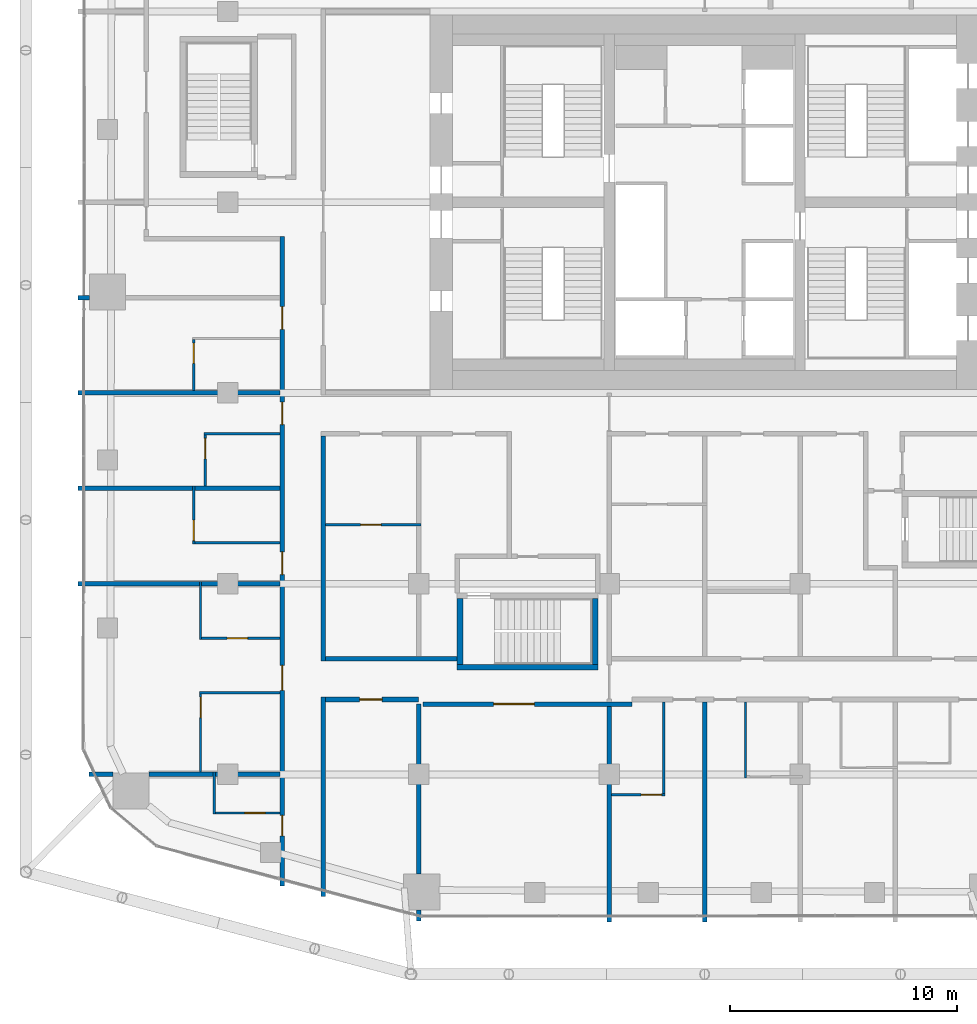
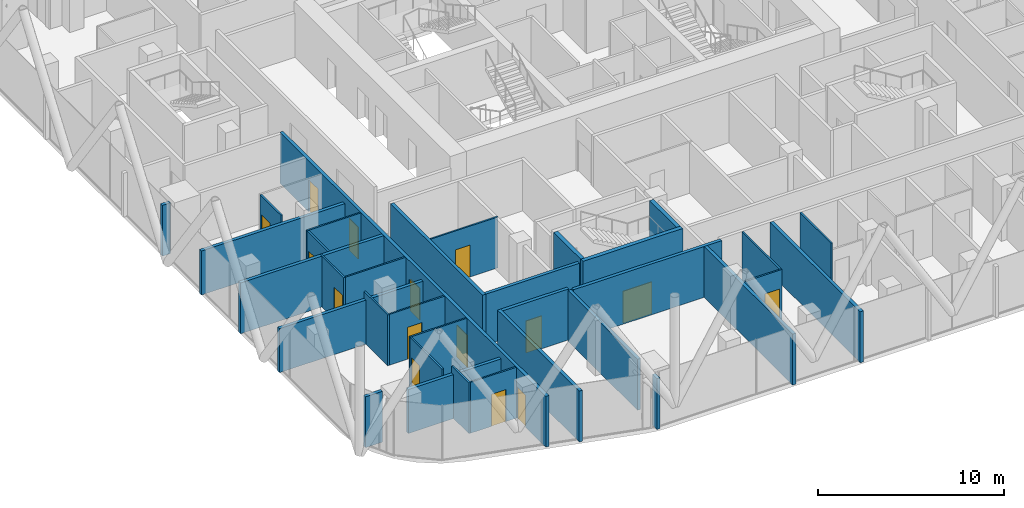
# One storey, part 24 of 33: 34 walls, 15 doors, 15 openings.
"""IFC4 building model written with IfcOpenShell, lengths in metres."""

from ifc_helpers import new_model, si_unit, direction, frame, frame_2d, origin, place, context, subcontext, project, spatial, rectangle, extrude, material, layer, layer_set, type_object, element, fill, save


model = new_model("IFC4")

# Units and contexts
model_context = context("Model", 3, precision=1e-05, world=origin(), true_north=direction((0.0, 1.0)))
body_context = subcontext(model_context, "Body", "Model", "MODEL_VIEW")
ifc_project = project(units=[si_unit("LENGTHUNIT", "METRE"), si_unit("AREAUNIT", "SQUARE_METRE"), si_unit("VOLUMEUNIT", "CUBIC_METRE"), si_unit("PLANEANGLEUNIT", "RADIAN"), si_unit("MASSUNIT", "GRAM", prefix="KILO")], contexts=[model_context])

# Site, building, storey
site_placement = place(None, origin())
site = spatial("IfcSite", under=ifc_project, at=site_placement, CompositionType="ELEMENT")
building_placement = place(site_placement, origin())
building = spatial("IfcBuilding", under=site, at=building_placement, Name="Marenta Gate Hotel Tower", CompositionType="ELEMENT")
storey_placement = place(building_placement, frame((0.0, 0.0, 137.300048828125)))
storey = spatial("IfcBuildingStorey", under=building, at=storey_placement, Name="L31", CompositionType="ELEMENT", Elevation=137.300048828125)

# Walls
ifc_material_1 = material(Name="Concrete blockwork", Category="masonry")
ifc_layer_1 = layer(ifc_material_1, 0.199951171875)
ifc_layer_set_1 = layer_set([ifc_layer_1], Name="Concrete blockwork")
wall_type_1 = type_object("IfcWallType", Name="Compartment wall 200 REI 180", PredefinedType="PARTITIONING", material=ifc_layer_set_1)
wall_1_placement = place(storey_placement, frame((-4.199951171875, -23.300048828125, 0.0), z_axis=(0.0, 0.0, 1.0), x_axis=(0.0, 1.0, 0.0)))
element("IfcWall", 1, at=wall_1_placement, inside=storey, type_object=wall_type_1, Name="L31-PTN-W082", PredefinedType="PARTITIONING", context=body_context, shape_type="SweptSolid", body=[
    extrude(rectangle(XDim=9.5, YDim=0.199951171875, at=frame_2d((4.75, 0.0))), origin(), (0.0, 0.0, 1.0), 3.33984375),
])
ifc_material_2 = material(Name="Concrete C40", Category="concrete")
ifc_layer_2 = layer(ifc_material_2, 0.25)
ifc_layer_set_2 = layer_set([ifc_layer_2], Name="Concrete C40")
wall_type_2 = type_object("IfcWallType", Name="Remote stair enclosure wall 250 REI 180", PredefinedType="SHEAR", material=ifc_layer_set_2)
wall_2_placement = place(storey_placement, frame((-10.89990234375, -12.074951171875, 0.099853515625), z_axis=(0.0, 0.0, 1.0), x_axis=(1.0, 0.0, 0.0)))
element("IfcWall", 2, at=wall_2_placement, inside=storey, type_object=wall_type_2, Name="L31-RS-Z2-1-W1", PredefinedType="SHEAR", context=body_context, shape_type="SweptSolid", body=[
    extrude(rectangle(XDim=6.199951171875, YDim=0.25, at=frame_2d((3.10009765625, 0.0))), origin(), (0.0, 0.0, 1.0), 3.60009765625),
])
for number, where, z_axis, x_axis, name in (
    (3, (-10.77490234375, -11.949951171875, 0.099853515625), (0.0, 0.0, 1.0), (0.0, 1.0, 0.0), "L31-RS-Z2-1-W3"),
    (4, (-4.824951171875, -11.949951171875, 0.099853515625), (0.0, 0.0, 1.0), (0.0, 1.0, 0.0), "L31-RS-Z2-1-W4"),
):
    element("IfcWall", number, at=place(storey_placement, frame(where, z_axis=z_axis, x_axis=x_axis)), inside=storey, type_object=wall_type_2, Name=name, PredefinedType="SHEAR", context=body_context, shape_type="SweptSolid", body=[
        extrude(rectangle(XDim=2.89990234375, YDim=0.25, at=frame_2d((1.449951171875, 0.0))), origin(), (0.0, 0.0, 1.0), 3.60009765625),
    ])

# Wall, opening, door
ifc_material_3 = material(Name="Gypsum board on steel stud", Category="steel")
ifc_layer_3 = layer(ifc_material_3, 0.199951171875)
ifc_layer_set_3 = layer_set([ifc_layer_3], Name="Gypsum board on steel stud")
wall_type_3 = type_object("IfcWallType", Name="Room corridor wall 200 EI 60", PredefinedType="PARTITIONING", material=ifc_layer_set_3)
wall_3_placement = place(storey_placement, frame((-12.39990234375, -13.699951171875, 0.0), z_axis=(0.0, 0.0, 1.0), x_axis=(1.0, 0.0, 0.0)))
wall_3 = element("IfcWall", 5, at=wall_3_placement, inside=storey, type_object=wall_type_3, Name="L31-PTN-W028", PredefinedType="PARTITIONING", context=body_context, shape_type="SweptSolid", body=[
    extrude(rectangle(XDim=9.199951171875, YDim=0.199951171875, at=frame_2d((4.60009765625, 0.0))), origin(), (0.0, 0.0, 1.0), 3.33984375),
])
opening_1_placement = place(wall_3_placement, frame((3.10009765625, 0.0, 0.0)))
opening_1 = element("IfcOpeningElement", 6, at=opening_1_placement, cuts=wall_3, Name="Opening G12-39", PredefinedType="OPENING", context=body_context, shape_type="SweptSolid", body=[
    extrude(rectangle(XDim=1.800048828125, YDim=2.10009765625, at=frame_2d((0.89990234375, 1.050048828125))), frame((0.0, 0.10009765625, 0.0), z_axis=(0.0, -1.0, 0.0), x_axis=(1.0, 0.0, 0.0)), (0.0, 0.0, 1.0), 0.199951171875),
])
ifc_material_4 = material(Name="Timber door leaf", Category="wood")
door_type_1 = type_object("IfcDoorType", Name="Room amenity door 1800x2100 EI 30", OperationType="DOUBLE_DOOR_SINGLE_SWING", PredefinedType="DOOR", material=ifc_material_4)
door_1_placement = place(opening_1_placement, origin())
door_1 = element("IfcDoor", 7, at=door_1_placement, inside=storey, type_object=door_type_1, Name="L31-PD-D039", OperationType="DOUBLE_DOOR_SINGLE_SWING", OverallHeight=2.10009765625, OverallWidth=1.800048828125, PredefinedType="DOOR", context=body_context, shape_type="SweptSolid", body=[
    extrude(rectangle(XDim=1.800048828125, YDim=2.10009765625, at=frame_2d((0.89990234375, 1.050048828125))), frame((0.0, 0.02490234375, 0.0), z_axis=(0.0, -1.0, 0.0), x_axis=(1.0, 0.0, 0.0)), (0.0, 0.0, 1.0), 0.050048828125),
])
fill(opening_1, door_1)

wall_4_placement = place(storey_placement, frame((-16.699951171875, -13.5, 0.0), z_axis=(0.0, 0.0, 1.0), x_axis=(1.0, 0.0, 0.0)))
wall_4 = element("IfcWall", 8, at=wall_4_placement, inside=storey, type_object=wall_type_3, Name="L31-PTN-W029", PredefinedType="PARTITIONING", context=body_context, shape_type="SweptSolid", body=[
    extrude(rectangle(XDim=4.099853515625, YDim=0.199951171875, at=frame_2d((2.0498046875, 0.0))), origin(), (0.0, 0.0, 1.0), 3.33984375),
])
opening_2_placement = place(wall_4_placement, frame((1.5, 0.0, 0.0)))
opening_2 = element("IfcOpeningElement", 9, at=opening_2_placement, cuts=wall_4, Name="Opening G12-38", PredefinedType="OPENING", context=body_context, shape_type="SweptSolid", body=[
    extrude(rectangle(XDim=1.0, YDim=2.10009765625, at=frame_2d((0.5, 1.050048828125))), frame((0.0, 0.10009765625, 0.0), z_axis=(0.0, -1.0, 0.0), x_axis=(1.0, 0.0, 0.0)), (0.0, 0.0, 1.0), 0.199951171875),
])
ifc_material_5 = material(Name="Timber door leaf", Category="wood")
door_type_2 = type_object("IfcDoorType", Name="Room amenity door 1000x2100 EI 30", OperationType="NOTDEFINED", PredefinedType="DOOR", material=ifc_material_5)
door_2_placement = place(opening_2_placement, origin())
door_2 = element("IfcDoor", 10, at=door_2_placement, inside=storey, type_object=door_type_2, Name="L31-PD-D038", OperationType="SINGLE_SWING_LEFT", OverallHeight=2.10009765625, OverallWidth=1.0, PredefinedType="DOOR", context=body_context, shape_type="SweptSolid", body=[
    extrude(rectangle(XDim=1.0, YDim=2.10009765625, at=frame_2d((0.5, 1.050048828125))), frame((0.0, 0.02490234375, 0.0), z_axis=(0.0, -1.0, 0.0), x_axis=(1.0, 0.0, 0.0)), (0.0, 0.0, 1.0), 0.050048828125),
])
fill(opening_2, door_2)

# Walls
wall_5_placement = place(storey_placement, frame((-16.699951171875, -11.699951171875, 0.0), z_axis=(0.0, 0.0, 1.0), x_axis=(1.0, 0.0, 0.0)))
element("IfcWall", 11, at=wall_5_placement, inside=storey, type_object=wall_type_3, Name="L31-PTN-W037", PredefinedType="PARTITIONING", context=body_context, shape_type="SweptSolid", body=[
    extrude(rectangle(XDim=5.800048828125, YDim=0.199951171875, at=frame_2d((2.89990234375, 0.0))), origin(), (0.0, 0.0, 1.0), 3.33984375),
])
wall_6_placement = place(storey_placement, frame((-16.800048828125, -22.18603515625, 0.0), z_axis=(0.0, 0.0, 1.0), x_axis=(0.0, 1.0, 0.0)))
element("IfcWall", 12, at=wall_6_placement, inside=storey, type_object=wall_type_3, Name="L31-PTN-W103", PredefinedType="PARTITIONING", context=body_context, shape_type="SweptSolid", body=[
    extrude(rectangle(XDim=8.7861328125, YDim=0.199951171875, at=frame_2d((4.39306640625, 0.0))), origin(), (0.0, 0.0, 1.0), 3.33984375),
])
wall_7_placement = place(storey_placement, frame((-16.800048828125, -11.800048828125, 0.0), z_axis=(0.0, 0.0, 1.0), x_axis=(0.0, 1.0, 0.0)))
element("IfcWall", 13, at=wall_7_placement, inside=storey, type_object=wall_type_3, Name="L31-PTN-W104", PredefinedType="PARTITIONING", context=body_context, shape_type="SweptSolid", body=[
    extrude(rectangle(XDim=9.900146484375, YDim=0.199951171875, at=frame_2d((4.9501953125, 0.0))), origin(), (0.0, 0.0, 1.0), 3.33984375),
])

# Wall, openings, doors
wall_8_placement = place(storey_placement, frame((-18.60009765625, -21.7080078125, 0.0), z_axis=(0.0, 0.0, 1.0), x_axis=(0.0, 1.0, 0.0)))
wall_8 = element("IfcWall", 14, at=wall_8_placement, inside=storey, type_object=wall_type_3, Name="L31-PTN-W110", PredefinedType="PARTITIONING", context=body_context, shape_type="SweptSolid", body=[
    extrude(rectangle(XDim=28.60791015625, YDim=0.199951171875, at=frame_2d((14.303955078125, 0.0))), origin(), (0.0, 0.0, 1.0), 3.33984375),
])
opening_3_placement = place(wall_8_placement, frame((2.2041015625, 0.0, 0.0)))
opening_3 = element("IfcOpeningElement", 15, at=opening_3_placement, cuts=wall_8, Name="Opening G12-50", PredefinedType="OPENING", context=body_context, shape_type="SweptSolid", body=[
    extrude(rectangle(XDim=0.89990234375, YDim=2.10009765625, at=frame_2d((0.449951171875, 1.050048828125))), frame((0.0, 0.10009765625, 0.0), z_axis=(0.0, -1.0, 0.0), x_axis=(1.0, 0.0, 0.0)), (0.0, 0.0, 1.0), 0.199951171875),
])
opening_4_placement = place(wall_8_placement, frame((8.60791015625, 0.0, 0.0)))
opening_4 = element("IfcOpeningElement", 16, at=opening_4_placement, cuts=wall_8, Name="Opening G12-52", PredefinedType="OPENING", context=body_context, shape_type="SweptSolid", body=[
    extrude(rectangle(XDim=1.10009765625, YDim=2.10009765625, at=frame_2d((0.550048828125, 1.050048828125))), frame((0.0, 0.10009765625, 0.0), z_axis=(0.0, -1.0, 0.0), x_axis=(1.0, 0.0, 0.0)), (0.0, 0.0, 1.0), 0.199951171875),
])
opening_5_placement = place(wall_8_placement, frame((13.7080078125, 0.0, 0.0)))
opening_5 = element("IfcOpeningElement", 17, at=opening_5_placement, cuts=wall_8, Name="Opening G12-55", PredefinedType="OPENING", context=body_context, shape_type="SweptSolid", body=[
    extrude(rectangle(XDim=1.0, YDim=2.10009765625, at=frame_2d((0.5, 1.050048828125))), frame((0.0, 0.10009765625, 0.0), z_axis=(0.0, -1.0, 0.0), x_axis=(1.0, 0.0, 0.0)), (0.0, 0.0, 1.0), 0.199951171875),
])
opening_6_placement = place(wall_8_placement, frame((20.30810546875, 0.0, 0.0)))
opening_6 = element("IfcOpeningElement", 18, at=opening_6_placement, cuts=wall_8, Name="Opening G12-57", PredefinedType="OPENING", context=body_context, shape_type="SweptSolid", body=[
    extrude(rectangle(XDim=1.0, YDim=2.10009765625, at=frame_2d((0.5, 1.050048828125))), frame((0.0, 0.10009765625, 0.0), z_axis=(0.0, -1.0, 0.0), x_axis=(1.0, 0.0, 0.0)), (0.0, 0.0, 1.0), 0.199951171875),
])
opening_7_placement = place(wall_8_placement, frame((24.508056640625, 0.0, 0.0)))
opening_7 = element("IfcOpeningElement", 19, at=opening_7_placement, cuts=wall_8, Name="Opening G12-59", PredefinedType="OPENING", context=body_context, shape_type="SweptSolid", body=[
    extrude(rectangle(XDim=1.0, YDim=2.10009765625, at=frame_2d((0.5, 1.050048828125))), frame((0.0, 0.10009765625, 0.0), z_axis=(0.0, -1.0, 0.0), x_axis=(1.0, 0.0, 0.0)), (0.0, 0.0, 1.0), 0.199951171875),
])
ifc_material_6 = material(Name="Timber door leaf", Category="wood")
door_type_3 = type_object("IfcDoorType", Name="Guest room door 1000x2100 EI 30", OperationType="NOTDEFINED", PredefinedType="DOOR", material=ifc_material_6)
door_3_placement = place(opening_5_placement, origin())
door_3 = element("IfcDoor", 20, at=door_3_placement, inside=storey, type_object=door_type_3, Name="L31-PD-D055", OperationType="SINGLE_SWING_RIGHT", OverallHeight=2.10009765625, OverallWidth=1.0, PredefinedType="DOOR", context=body_context, shape_type="SweptSolid", body=[
    extrude(rectangle(XDim=1.0, YDim=2.10009765625, at=frame_2d((0.5, 1.050048828125))), frame((0.0, 0.02490234375, 0.0), z_axis=(0.0, -1.0, 0.0), x_axis=(1.0, 0.0, 0.0)), (0.0, 0.0, 1.0), 0.050048828125),
])
fill(opening_5, door_3)
door_4_placement = place(opening_6_placement, origin())
door_4 = element("IfcDoor", 21, at=door_4_placement, inside=storey, type_object=door_type_3, Name="L31-PD-D057", OperationType="SINGLE_SWING_RIGHT", OverallHeight=2.10009765625, OverallWidth=1.0, PredefinedType="DOOR", context=body_context, shape_type="SweptSolid", body=[
    extrude(rectangle(XDim=1.0, YDim=2.10009765625, at=frame_2d((0.5, 1.050048828125))), frame((0.0, 0.02490234375, 0.0), z_axis=(0.0, -1.0, 0.0), x_axis=(1.0, 0.0, 0.0)), (0.0, 0.0, 1.0), 0.050048828125),
])
fill(opening_6, door_4)
door_5_placement = place(opening_7_placement, origin())
door_5 = element("IfcDoor", 22, at=door_5_placement, inside=storey, type_object=door_type_3, Name="L31-PD-D059", OperationType="SINGLE_SWING_RIGHT", OverallHeight=2.10009765625, OverallWidth=1.0, PredefinedType="DOOR", context=body_context, shape_type="SweptSolid", body=[
    extrude(rectangle(XDim=1.0, YDim=2.10009765625, at=frame_2d((0.5, 1.050048828125))), frame((0.0, 0.02490234375, 0.0), z_axis=(0.0, -1.0, 0.0), x_axis=(1.0, 0.0, 0.0)), (0.0, 0.0, 1.0), 0.050048828125),
])
fill(opening_7, door_5)
ifc_material_7 = material(Name="Timber door leaf", Category="wood")
door_type_4 = type_object("IfcDoorType", Name="Guest room door 1100x2100 EI 30", OperationType="NOTDEFINED", PredefinedType="DOOR", material=ifc_material_7)
door_6_placement = place(opening_4_placement, origin())
door_6 = element("IfcDoor", 23, at=door_6_placement, inside=storey, type_object=door_type_4, Name="L31-PD-D052", OperationType="SINGLE_SWING_LEFT", OverallHeight=2.10009765625, OverallWidth=1.10009765625, PredefinedType="DOOR", context=body_context, shape_type="SweptSolid", body=[
    extrude(rectangle(XDim=1.10009765625, YDim=2.10009765625, at=frame_2d((0.550048828125, 1.050048828125))), frame((0.0, 0.02490234375, 0.0), z_axis=(0.0, -1.0, 0.0), x_axis=(1.0, 0.0, 0.0)), (0.0, 0.0, 1.0), 0.050048828125),
])
fill(opening_4, door_6)
ifc_material_8 = material(Name="Timber door leaf", Category="wood")
door_type_5 = type_object("IfcDoorType", Name="Guest room door 900x2100 EI 30", OperationType="NOTDEFINED", PredefinedType="DOOR", material=ifc_material_8)
door_7_placement = place(opening_3_placement, origin())
door_7 = element("IfcDoor", 24, at=door_7_placement, inside=storey, type_object=door_type_5, Name="L31-PD-D050", OperationType="SINGLE_SWING_RIGHT", OverallHeight=2.10009765625, OverallWidth=0.89990234375, PredefinedType="DOOR", context=body_context, shape_type="SweptSolid", body=[
    extrude(rectangle(XDim=0.89990234375, YDim=2.10009765625, at=frame_2d((0.449951171875, 1.050048828125))), frame((0.0, 0.02490234375, 0.0), z_axis=(0.0, -1.0, 0.0), x_axis=(1.0, 0.0, 0.0)), (0.0, 0.0, 1.0), 0.050048828125),
])
fill(opening_3, door_7)

# Wall, opening, door
ifc_material_9 = material(Name="Gypsum board on steel stud", Category="steel")
ifc_layer_4 = layer(ifc_material_9, 0.10009765625)
ifc_layer_set_4 = layer_set([ifc_layer_4], Name="Gypsum board on steel stud")
wall_type_4 = type_object("IfcWallType", Name="Room partition 100", PredefinedType="PARTITIONING", material=ifc_layer_set_4)
wall_9_placement = place(storey_placement, frame((-21.550048828125, -18.5, 0.0), z_axis=(0.0, 0.0, 1.0), x_axis=(1.0, 0.0, 0.0)))
wall_9 = element("IfcWall", 25, at=wall_9_placement, inside=storey, type_object=wall_type_4, Name="L31-PTN-W014", PredefinedType="PARTITIONING", context=body_context, shape_type="SweptSolid", body=[
    extrude(rectangle(XDim=2.85009765625, YDim=0.10009765625, at=frame_2d((1.425048828125, 0.0))), origin(), (0.0, 0.0, 1.0), 3.33984375),
])
opening_8_placement = place(wall_9_placement, frame((1.300048828125, 0.0, 0.0)))
opening_8 = element("IfcOpeningElement", 26, at=opening_8_placement, cuts=wall_9, Name="Opening G12-51", PredefinedType="OPENING", context=body_context, shape_type="SweptSolid", body=[
    extrude(rectangle(XDim=0.89990234375, YDim=2.10009765625, at=frame_2d((0.449951171875, 1.050048828125))), frame((0.0, 0.050048828125, 0.0), z_axis=(0.0, -1.0, 0.0), x_axis=(1.0, 0.0, 0.0)), (0.0, 0.0, 1.0), 0.10009765625),
])
ifc_material_10 = material(Name="Timber door leaf", Category="wood")
door_type_6 = type_object("IfcDoorType", Name="Guest bathroom door 900x2100", OperationType="NOTDEFINED", PredefinedType="DOOR", material=ifc_material_10)
door_8_placement = place(opening_8_placement, origin())
door_8 = element("IfcDoor", 27, at=door_8_placement, inside=storey, type_object=door_type_6, Name="L31-PD-D051", OperationType="SINGLE_SWING_RIGHT", OverallHeight=2.10009765625, OverallWidth=0.89990234375, PredefinedType="DOOR", context=body_context, shape_type="SweptSolid", body=[
    extrude(rectangle(XDim=0.89990234375, YDim=2.10009765625, at=frame_2d((0.449951171875, 1.050048828125))), frame((0.0, 0.02490234375, 0.0), z_axis=(0.0, -1.0, 0.0), x_axis=(1.0, 0.0, 0.0)), (0.0, 0.0, 1.0), 0.050048828125),
])
fill(opening_8, door_8)

wall_10_placement = place(storey_placement, frame((-4.10009765625, -17.699951171875, 0.0), z_axis=(0.0, 0.0, 1.0), x_axis=(1.0, 0.0, 0.0)))
wall_10 = element("IfcWall", 28, at=wall_10_placement, inside=storey, type_object=wall_type_4, Name="L31-PTN-W015", PredefinedType="PARTITIONING", context=body_context, shape_type="SweptSolid", body=[
    extrude(rectangle(XDim=2.35009765625, YDim=0.10009765625, at=frame_2d((1.175048828125, 0.0))), origin(), (0.0, 0.0, 1.0), 3.33984375),
])
opening_9_placement = place(wall_10_placement, frame((1.300048828125, 0.0, 0.0)))
opening_9 = element("IfcOpeningElement", 29, at=opening_9_placement, cuts=wall_10, Name="Opening G12-41", PredefinedType="OPENING", context=body_context, shape_type="SweptSolid", body=[
    extrude(rectangle(XDim=0.89990234375, YDim=2.10009765625, at=frame_2d((0.449951171875, 1.050048828125))), frame((0.0, 0.050048828125, 0.0), z_axis=(0.0, -1.0, 0.0), x_axis=(1.0, 0.0, 0.0)), (0.0, 0.0, 1.0), 0.10009765625),
])
door_9_placement = place(opening_9_placement, origin())
door_9 = element("IfcDoor", 30, at=door_9_placement, inside=storey, type_object=door_type_6, Name="L31-PD-D041", OperationType="SINGLE_SWING_RIGHT", OverallHeight=2.10009765625, OverallWidth=0.89990234375, PredefinedType="DOOR", context=body_context, shape_type="SweptSolid", body=[
    extrude(rectangle(XDim=0.89990234375, YDim=2.10009765625, at=frame_2d((0.449951171875, 1.050048828125))), frame((0.0, 0.02490234375, 0.0), z_axis=(0.0, -1.0, 0.0), x_axis=(1.0, 0.0, 0.0)), (0.0, 0.0, 1.0), 0.050048828125),
])
fill(opening_9, door_9)

# Wall
wall_11_placement = place(storey_placement, frame((-22.25, -13.199951171875, 0.0), z_axis=(0.0, 0.0, 1.0), x_axis=(1.0, 0.0, 0.0)))
element("IfcWall", 31, at=wall_11_placement, inside=storey, type_object=wall_type_4, Name="L31-PTN-W031", PredefinedType="PARTITIONING", context=body_context, shape_type="SweptSolid", body=[
    extrude(rectangle(XDim=3.550048828125, YDim=0.10009765625, at=frame_2d((1.77490234375, 0.0))), origin(), (0.0, 0.0, 1.0), 3.33984375),
])

# Wall, opening, door
wall_12_placement = place(storey_placement, frame((-22.14990234375, -10.800048828125, 0.0), z_axis=(0.0, 0.0, 1.0), x_axis=(1.0, 0.0, 0.0)))
wall_12 = element("IfcWall", 32, at=wall_12_placement, inside=storey, type_object=wall_type_4, Name="L31-PTN-W040", PredefinedType="PARTITIONING", context=body_context, shape_type="SweptSolid", body=[
    extrude(rectangle(XDim=3.449951171875, YDim=0.10009765625, at=frame_2d((1.72509765625, 0.0))), origin(), (0.0, 0.0, 1.0), 3.33984375),
])
opening_10_placement = place(wall_12_placement, frame((1.1201171875, 0.0, 0.0)))
opening_10 = element("IfcOpeningElement", 33, at=opening_10_placement, cuts=wall_12, Name="Opening G12-54", PredefinedType="OPENING", context=body_context, shape_type="SweptSolid", body=[
    extrude(rectangle(XDim=0.89990234375, YDim=2.10009765625, at=frame_2d((0.449951171875, 1.050048828125))), frame((0.0, 0.050048828125, 0.0), z_axis=(0.0, -1.0, 0.0), x_axis=(1.0, 0.0, 0.0)), (0.0, 0.0, 1.0), 0.10009765625),
])
ifc_material_11 = material(Name="Timber door leaf", Category="wood")
door_type_7 = type_object("IfcDoorType", Name="Room inner door 900x2100", OperationType="NOTDEFINED", PredefinedType="DOOR", material=ifc_material_11)
door_10_placement = place(opening_10_placement, origin())
door_10 = element("IfcDoor", 34, at=door_10_placement, inside=storey, type_object=door_type_7, Name="L31-PD-D054", OperationType="SINGLE_SWING_LEFT", OverallHeight=2.10009765625, OverallWidth=0.89990234375, PredefinedType="DOOR", context=body_context, shape_type="SweptSolid", body=[
    extrude(rectangle(XDim=0.89990234375, YDim=2.10009765625, at=frame_2d((0.449951171875, 1.050048828125))), frame((0.0, 0.02490234375, 0.0), z_axis=(0.0, -1.0, 0.0), x_axis=(1.0, 0.0, 0.0)), (0.0, 0.0, 1.0), 0.050048828125),
])
fill(opening_10, door_10)

# Wall
wall_13_placement = place(storey_placement, frame((-22.449951171875, -6.60009765625, 0.0), z_axis=(0.0, 0.0, 1.0), x_axis=(1.0, 0.0, 0.0)))
element("IfcWall", 35, at=wall_13_placement, inside=storey, type_object=wall_type_4, Name="L31-PTN-W054", PredefinedType="PARTITIONING", context=body_context, shape_type="SweptSolid", body=[
    extrude(rectangle(XDim=3.75, YDim=0.10009765625, at=frame_2d((1.875, 0.0))), origin(), (0.0, 0.0, 1.0), 3.33984375),
])

# Wall, opening, door
wall_14_placement = place(storey_placement, frame((-16.699951171875, -5.800048828125, 0.0), z_axis=(0.0, 0.0, 1.0), x_axis=(1.0, 0.0, 0.0)))
wall_14 = element("IfcWall", 36, at=wall_14_placement, inside=storey, type_object=wall_type_4, Name="L31-PTN-W057", PredefinedType="PARTITIONING", context=body_context, shape_type="SweptSolid", body=[
    extrude(rectangle(XDim=4.199951171875, YDim=0.10009765625, at=frame_2d((2.10009765625, 0.0))), origin(), (0.0, 0.0, 1.0), 3.33984375),
])
opening_11_placement = place(wall_14_placement, frame((1.550048828125, 0.0, 0.0)))
opening_11 = element("IfcOpeningElement", 37, at=opening_11_placement, cuts=wall_14, Name="Opening G12-02", PredefinedType="OPENING", context=body_context, shape_type="SweptSolid", body=[
    extrude(rectangle(XDim=0.89990234375, YDim=2.10009765625, at=frame_2d((0.449951171875, 1.050048828125))), frame((0.0, 0.050048828125, 0.0), z_axis=(0.0, -1.0, 0.0), x_axis=(1.0, 0.0, 0.0)), (0.0, 0.0, 1.0), 0.10009765625),
])
door_11_placement = place(opening_11_placement, origin())
door_11 = element("IfcDoor", 38, at=door_11_placement, inside=storey, type_object=door_type_7, Name="L31-PD-D002", OperationType="SINGLE_SWING_RIGHT", OverallHeight=2.10009765625, OverallWidth=0.89990234375, PredefinedType="DOOR", context=body_context, shape_type="SweptSolid", body=[
    extrude(rectangle(XDim=0.89990234375, YDim=2.10009765625, at=frame_2d((0.449951171875, 1.050048828125))), frame((0.0, 0.02490234375, 0.0), z_axis=(0.0, -1.0, 0.0), x_axis=(1.0, 0.0, 0.0)), (0.0, 0.0, 1.0), 0.050048828125),
])
fill(opening_11, door_11)

# Walls
wall_15_placement = place(storey_placement, frame((1.800048828125, -16.949951171875, 0.0), z_axis=(0.0, 0.0, 1.0), x_axis=(0.0, 1.0, 0.0)))
element("IfcWall", 39, at=wall_15_placement, inside=storey, type_object=wall_type_4, Name="L31-PTN-W066", PredefinedType="PARTITIONING", context=body_context, shape_type="SweptSolid", body=[
    extrude(rectangle(XDim=3.349853515625, YDim=0.10009765625, at=frame_2d((1.6748046875, 0.0))), origin(), (0.0, 0.0, 1.0), 3.33984375),
])
wall_16_placement = place(storey_placement, frame((-22.050048828125, -1.800048828125, 0.0), z_axis=(0.0, 0.0, 1.0), x_axis=(1.0, 0.0, 0.0)))
element("IfcWall", 40, at=wall_16_placement, inside=storey, type_object=wall_type_4, Name="L31-PTN-W067", PredefinedType="PARTITIONING", context=body_context, shape_type="SweptSolid", body=[
    extrude(rectangle(XDim=3.35009765625, YDim=0.10009765625, at=frame_2d((1.675048828125, 0.0))), origin(), (0.0, 0.0, 1.0), 3.33984375),
])
wall_17_placement = place(storey_placement, frame((-1.800048828125, -17.64990234375, 0.0), z_axis=(0.0, 0.0, 1.0), x_axis=(0.0, 1.0, 0.0)))
element("IfcWall", 41, at=wall_17_placement, inside=storey, type_object=wall_type_4, Name="L31-PTN-W078", PredefinedType="PARTITIONING", context=body_context, shape_type="SweptSolid", body=[
    extrude(rectangle(XDim=4.0498046875, YDim=0.10009765625, at=frame_2d((2.02490234375, 0.0))), origin(), (0.0, 0.0, 1.0), 3.33984375),
])
wall_18_placement = place(storey_placement, frame((-21.60009765625, -18.550048828125, 0.0), z_axis=(0.0, 0.0, 1.0), x_axis=(0.0, 1.0, 0.0)))
element("IfcWall", 42, at=wall_18_placement, inside=storey, type_object=wall_type_4, Name="L31-PTN-W116", PredefinedType="PARTITIONING", context=body_context, shape_type="SweptSolid", body=[
    extrude(rectangle(XDim=1.85009765625, YDim=0.10009765625, at=frame_2d((0.925048828125, 0.0))), origin(), (0.0, 0.0, 1.0), 3.33984375),
])

# Wall, opening, door
wall_19_placement = place(storey_placement, frame((-22.0, -4.10009765625, 0.0), z_axis=(0.0, 0.0, 1.0), x_axis=(0.0, 1.0, 0.0)))
wall_19 = element("IfcWall", 43, at=wall_19_placement, inside=storey, type_object=wall_type_4, Name="L31-PTN-W117", PredefinedType="PARTITIONING", context=body_context, shape_type="SweptSolid", body=[
    extrude(rectangle(XDim=2.25, YDim=0.10009765625, at=frame_2d((1.125, 0.0))), origin(), (0.0, 0.0, 1.0), 3.33984375),
])
opening_12_placement = place(wall_19_placement, frame((1.199951171875, 0.0, 0.0)))
opening_12 = element("IfcOpeningElement", 44, at=opening_12_placement, cuts=wall_19, Name="Opening G12-58", PredefinedType="OPENING", context=body_context, shape_type="SweptSolid", body=[
    extrude(rectangle(XDim=0.89990234375, YDim=2.10009765625, at=frame_2d((0.449951171875, 1.050048828125))), frame((0.0, 0.050048828125, 0.0), z_axis=(0.0, -1.0, 0.0), x_axis=(1.0, 0.0, 0.0)), (0.0, 0.0, 1.0), 0.10009765625),
])
door_12_placement = place(opening_12_placement, origin())
door_12 = element("IfcDoor", 45, at=door_12_placement, inside=storey, type_object=door_type_6, Name="L31-PD-D058", OperationType="SINGLE_SWING_LEFT", OverallHeight=2.10009765625, OverallWidth=0.89990234375, PredefinedType="DOOR", context=body_context, shape_type="SweptSolid", body=[
    extrude(rectangle(XDim=0.89990234375, YDim=2.10009765625, at=frame_2d((0.449951171875, 1.050048828125))), frame((0.0, 0.02490234375, 0.0), z_axis=(0.0, -1.0, 0.0), x_axis=(1.0, 0.0, 0.0)), (0.0, 0.0, 1.0), 0.050048828125),
])
fill(opening_12, door_12)

wall_20_placement = place(storey_placement, frame((-22.199951171875, -16.699951171875, 0.0), z_axis=(0.0, 0.0, 1.0), x_axis=(0.0, 1.0, 0.0)))
wall_20 = element("IfcWall", 46, at=wall_20_placement, inside=storey, type_object=wall_type_4, Name="L31-PTN-W121", PredefinedType="PARTITIONING", context=body_context, shape_type="SweptSolid", body=[
    extrude(rectangle(XDim=3.449951171875, YDim=0.10009765625, at=frame_2d((1.72509765625, 0.0))), origin(), (0.0, 0.0, 1.0), 3.33984375),
])
opening_13_placement = place(wall_20_placement, frame((2.39990234375, 0.0, 0.0)))
opening_13 = element("IfcOpeningElement", 47, at=opening_13_placement, cuts=wall_20, Name="Opening G12-53", PredefinedType="OPENING", context=body_context, shape_type="SweptSolid", body=[
    extrude(rectangle(XDim=0.89990234375, YDim=2.10009765625, at=frame_2d((0.449951171875, 1.050048828125))), frame((0.0, 0.050048828125, 0.0), z_axis=(0.0, -1.0, 0.0), x_axis=(1.0, 0.0, 0.0)), (0.0, 0.0, 1.0), 0.10009765625),
])
door_13_placement = place(opening_13_placement, origin())
door_13 = element("IfcDoor", 48, at=door_13_placement, inside=storey, type_object=door_type_6, Name="L31-PD-D053", OperationType="SINGLE_SWING_LEFT", OverallHeight=2.10009765625, OverallWidth=0.89990234375, PredefinedType="DOOR", context=body_context, shape_type="SweptSolid", body=[
    extrude(rectangle(XDim=0.89990234375, YDim=2.10009765625, at=frame_2d((0.449951171875, 1.050048828125))), frame((0.0, 0.02490234375, 0.0), z_axis=(0.0, -1.0, 0.0), x_axis=(1.0, 0.0, 0.0)), (0.0, 0.0, 1.0), 0.050048828125),
])
fill(opening_13, door_13)

# Wall
wall_21_placement = place(storey_placement, frame((-22.199951171875, -10.85009765625, 0.0), z_axis=(0.0, 0.0, 1.0), x_axis=(0.0, 1.0, 0.0)))
element("IfcWall", 49, at=wall_21_placement, inside=storey, type_object=wall_type_4, Name="L31-PTN-W122", PredefinedType="PARTITIONING", context=body_context, shape_type="SweptSolid", body=[
    extrude(rectangle(XDim=2.550048828125, YDim=0.10009765625, at=frame_2d((1.27490234375, 0.0))), origin(), (0.0, 0.0, 1.0), 3.33984375),
])

# Wall, opening, door
wall_22_placement = place(storey_placement, frame((-22.5, -6.64990234375, 0.0), z_axis=(0.0, 0.0, 1.0), x_axis=(0.0, 1.0, 0.0)))
wall_22 = element("IfcWall", 50, at=wall_22_placement, inside=storey, type_object=wall_type_4, Name="L31-PTN-W125", PredefinedType="PARTITIONING", context=body_context, shape_type="SweptSolid", body=[
    extrude(rectangle(XDim=2.5498046875, YDim=0.10009765625, at=frame_2d((1.27490234375, 0.0))), origin(), (0.0, 0.0, 1.0), 3.33984375),
])
opening_14_placement = place(wall_22_placement, frame((0.14990234375, 0.0, 0.0)))
opening_14 = element("IfcOpeningElement", 51, at=opening_14_placement, cuts=wall_22, Name="Opening G12-56", PredefinedType="OPENING", context=body_context, shape_type="SweptSolid", body=[
    extrude(rectangle(XDim=0.89990234375, YDim=2.10009765625, at=frame_2d((0.449951171875, 1.050048828125))), frame((0.0, 0.050048828125, 0.0), z_axis=(0.0, -1.0, 0.0), x_axis=(1.0, 0.0, 0.0)), (0.0, 0.0, 1.0), 0.10009765625),
])
door_14_placement = place(opening_14_placement, origin())
door_14 = element("IfcDoor", 52, at=door_14_placement, inside=storey, type_object=door_type_6, Name="L31-PD-D056", OperationType="SINGLE_SWING_RIGHT", OverallHeight=2.10009765625, OverallWidth=0.89990234375, PredefinedType="DOOR", context=body_context, shape_type="SweptSolid", body=[
    extrude(rectangle(XDim=0.89990234375, YDim=2.10009765625, at=frame_2d((0.449951171875, 1.050048828125))), frame((0.0, 0.02490234375, 0.0), z_axis=(0.0, -1.0, 0.0), x_axis=(1.0, 0.0, 0.0)), (0.0, 0.0, 1.0), 0.050048828125),
])
fill(opening_14, door_14)

wall_23_placement = place(storey_placement, frame((-22.5, 0.10009765625, 0.0), z_axis=(0.0, 0.0, 1.0), x_axis=(0.0, 1.0, 0.0)))
wall_23 = element("IfcWall", 53, at=wall_23_placement, inside=storey, type_object=wall_type_4, Name="L31-PTN-W126", PredefinedType="PARTITIONING", context=body_context, shape_type="SweptSolid", body=[
    extrude(rectangle(XDim=2.25, YDim=0.10009765625, at=frame_2d((1.125, 0.0))), origin(), (0.0, 0.0, 1.0), 3.33984375),
])
opening_15_placement = place(wall_23_placement, frame((1.199951171875, 0.0, 0.0)))
opening_15 = element("IfcOpeningElement", 54, at=opening_15_placement, cuts=wall_23, Name="Opening G12-60", PredefinedType="OPENING", context=body_context, shape_type="SweptSolid", body=[
    extrude(rectangle(XDim=0.89990234375, YDim=2.10009765625, at=frame_2d((0.449951171875, 1.050048828125))), frame((0.0, 0.050048828125, 0.0), z_axis=(0.0, -1.0, 0.0), x_axis=(1.0, 0.0, 0.0)), (0.0, 0.0, 1.0), 0.10009765625),
])
door_15_placement = place(opening_15_placement, origin())
door_15 = element("IfcDoor", 55, at=door_15_placement, inside=storey, type_object=door_type_6, Name="L31-PD-D060", OperationType="SINGLE_SWING_LEFT", OverallHeight=2.10009765625, OverallWidth=0.89990234375, PredefinedType="DOOR", context=body_context, shape_type="SweptSolid", body=[
    extrude(rectangle(XDim=0.89990234375, YDim=2.10009765625, at=frame_2d((0.449951171875, 1.050048828125))), frame((0.0, 0.02490234375, 0.0), z_axis=(0.0, -1.0, 0.0), x_axis=(1.0, 0.0, 0.0)), (0.0, 0.0, 1.0), 0.050048828125),
])
fill(opening_15, door_15)

# Walls
ifc_material_12 = material(Name="Gypsum board on steel stud", Category="steel")
ifc_layer_5 = layer(ifc_material_12, 0.199951171875)
ifc_layer_set_5 = layer_set([ifc_layer_5], Name="Gypsum board on steel stud")
wall_type_5 = type_object("IfcWallType", Name="Room party wall 200 EI 60", PredefinedType="PARTITIONING", material=ifc_layer_set_5)
wall_24_placement = place(storey_placement, frame((-27.112060546875, -16.800048828125, 0.0), z_axis=(0.0, 0.0, 1.0), x_axis=(1.0, 0.0, 0.0)))
element("IfcWall", 56, at=wall_24_placement, inside=storey, type_object=wall_type_5, Name="L31-PTN-W020", PredefinedType="PARTITIONING", context=body_context, shape_type="SweptSolid", body=[
    extrude(rectangle(XDim=1.049072265625, YDim=0.199951171875, at=frame_2d((0.5244140625, 0.0))), origin(), (0.0, 0.0, 1.0), 3.33984375),
])
wall_25_placement = place(storey_placement, frame((-24.462890625, -16.800048828125, 0.0), z_axis=(0.0, 0.0, 1.0), x_axis=(1.0, 0.0, 0.0)))
element("IfcWall", 57, at=wall_25_placement, inside=storey, type_object=wall_type_5, Name="L31-PTN-W131", PredefinedType="PARTITIONING", context=body_context, shape_type="SweptSolid", body=[
    extrude(rectangle(XDim=5.762939453125, YDim=0.199951171875, at=frame_2d((2.88134765625, 0.0))), origin(), (0.0, 0.0, 1.0), 2.889892578125),
])
wall_26_placement = place(storey_placement, frame((-27.60009765625, -8.39990234375, 0.0), z_axis=(0.0, 0.0, 1.0), x_axis=(1.0, 0.0, 0.0)))
element("IfcWall", 58, at=wall_26_placement, inside=storey, type_object=wall_type_5, Name="L31-PTN-W047", PredefinedType="PARTITIONING", context=body_context, shape_type="SweptSolid", body=[
    extrude(rectangle(XDim=8.900146484375, YDim=0.199951171875, at=frame_2d((4.4501953125, 0.0))), origin(), (0.0, 0.0, 1.0), 2.889892578125),
])
wall_27_placement = place(storey_placement, frame((-27.60009765625, -4.199951171875, 0.0), z_axis=(0.0, 0.0, 1.0), x_axis=(1.0, 0.0, 0.0)))
element("IfcWall", 59, at=wall_27_placement, inside=storey, type_object=wall_type_5, Name="L31-PTN-W063", PredefinedType="PARTITIONING", context=body_context, shape_type="SweptSolid", body=[
    extrude(rectangle(XDim=8.900146484375, YDim=0.199951171875, at=frame_2d((4.4501953125, 0.0))), origin(), (0.0, 0.0, 1.0), 3.33984375),
])
wall_28_placement = place(storey_placement, frame((0.0, -23.300048828125, 0.0), z_axis=(0.0, 0.0, 1.0), x_axis=(0.0, 1.0, 0.0)))
element("IfcWall", 60, at=wall_28_placement, inside=storey, type_object=wall_type_5, Name="L31-PTN-W073", PredefinedType="PARTITIONING", context=body_context, shape_type="SweptSolid", body=[
    extrude(rectangle(XDim=9.699951171875, YDim=0.199951171875, at=frame_2d((4.85009765625, 0.0))), origin(), (0.0, 0.0, 1.0), 3.33984375),
])
wall_29_placement = place(storey_placement, frame((-27.60009765625, 0.0, 0.0), z_axis=(0.0, 0.0, 1.0), x_axis=(1.0, 0.0, 0.0)))
element("IfcWall", 61, at=wall_29_placement, inside=storey, type_object=wall_type_5, Name="L31-PTN-W076", PredefinedType="PARTITIONING", context=body_context, shape_type="SweptSolid", body=[
    extrude(rectangle(XDim=8.900146484375, YDim=0.199951171875, at=frame_2d((4.4501953125, 0.0))), origin(), (0.0, 0.0, 1.0), 2.889892578125),
])
wall_30_placement = place(storey_placement, frame((-27.60009765625, 4.199951171875, 0.0), z_axis=(0.0, 0.0, 1.0), x_axis=(1.0, 0.0, 0.0)))
element("IfcWall", 62, at=wall_30_placement, inside=storey, type_object=wall_type_5, Name="L31-PTN-W085", PredefinedType="PARTITIONING", context=body_context, shape_type="SweptSolid", body=[
    extrude(rectangle(XDim=0.5, YDim=0.199951171875, at=frame_2d((0.25, 0.0))), origin(), (0.0, 0.0, 1.0), 3.33984375),
])
wall_31_placement = place(storey_placement, frame((-12.60009765625, -23.26611328125, 0.0), z_axis=(0.0, 0.0, 1.0), x_axis=(0.0, 1.0, 0.0)))
element("IfcWall", 63, at=wall_31_placement, inside=storey, type_object=wall_type_5, Name="L31-PTN-W096", PredefinedType="PARTITIONING", context=body_context, shape_type="SweptSolid", body=[
    extrude(rectangle(XDim=0.4912109375, YDim=0.199951171875, at=frame_2d((0.24560546875, 0.0))), origin(), (0.0, 0.0, 1.0), 3.33984375),
])
wall_32_placement = place(storey_placement, frame((-12.60009765625, -21.175048828125, 0.0), z_axis=(0.0, 0.0, 1.0), x_axis=(0.0, 1.0, 0.0)))
element("IfcWall", 64, at=wall_32_placement, inside=storey, type_object=wall_type_5, Name="L31-PTN-W136", PredefinedType="PARTITIONING", context=body_context, shape_type="SweptSolid", body=[
    extrude(rectangle(XDim=7.47509765625, YDim=0.199951171875, at=frame_2d((3.737548828125, 0.0))), origin(), (0.0, 0.0, 1.0), 3.33984375),
])

save(model, "model.ifc")
